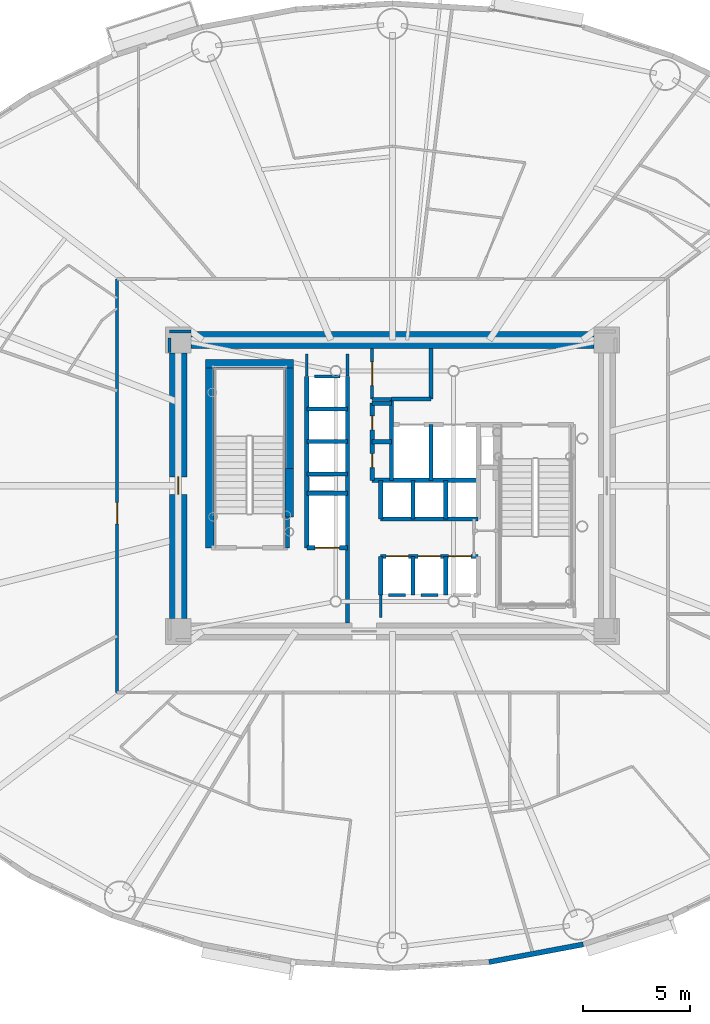
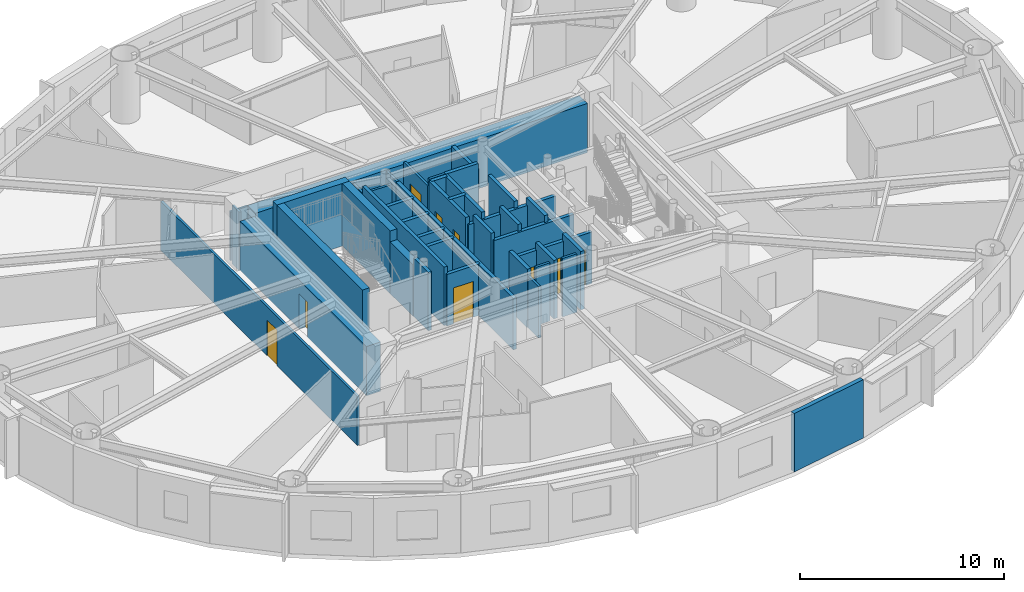
# One storey, part 8 of 18: 42 walls, 9 doors, 9 openings.
"""IFC4 building model written with IfcOpenShell, lengths in metres."""

from ifc_helpers import new_model, si_unit, direction, frame, frame_2d, origin, origin_2d, place, context, subcontext, project, spatial, rectangle, extrude, source, transform, mapped, material, layer, layer_set, type_object, element, fill, save


model = new_model("IFC4")

# Units and contexts
model_context = context("Model", 3, precision=1e-05, world=origin(), true_north=direction((0.0, 1.0)))
body_context = subcontext(model_context, "Body", "Model", "MODEL_VIEW")
ifc_project = project(units=[si_unit("LENGTHUNIT", "METRE"), si_unit("AREAUNIT", "SQUARE_METRE"), si_unit("VOLUMEUNIT", "CUBIC_METRE"), si_unit("PLANEANGLEUNIT", "RADIAN"), si_unit("MASSUNIT", "GRAM", prefix="KILO")], contexts=[model_context])

# Site, building, storey
site_placement = place(None, origin())
site = spatial("IfcSite", under=ifc_project, at=site_placement, CompositionType="ELEMENT")
building_placement = place(site_placement, origin())
building = spatial("IfcBuilding", under=site, at=building_placement, Name="Linh Dai School and Residence Tower", CompositionType="ELEMENT")
storey_placement = place(building_placement, frame((0.0, 0.0, 104.699951171875)))
storey = spatial("IfcBuildingStorey", under=building, at=storey_placement, Name="L24", CompositionType="ELEMENT", Elevation=104.699951171875)

# Wall
ifc_material_1 = material(Name="Precast Concrete B45 (C35/45)", Category="concrete")
ifc_layer_1 = layer(ifc_material_1, 0.239990234375)
ifc_layer_set_1 = layer_set([ifc_layer_1], Name="Precast Concrete B45 (C35/45)")
wall_type_1 = type_object("IfcWallType", Name="EW-TC-240", PredefinedType="SOLIDWALL", material=ifc_layer_set_1)
wall_1_placement = place(storey_placement, frame((44.899658203125, 5.5986328125, 0.0), z_axis=(0.0, 0.0, 1.0), x_axis=(-0.982789252177, -0.184730305596, 0.0)))
element("IfcWall", 1, at=wall_1_placement, inside=storey, type_object=wall_type_1, Name="L24 Terracotta Exterior Wall 32", PredefinedType="SOLIDWALL", context=body_context, shape_type="SweptSolid", body=[
    extrude(rectangle(XDim=4.470947265625, YDim=0.239990234375, at=frame_2d((2.2353515625, 0.0))), origin(), (0.0, 0.0, 1.0), 3.5),
])

# Wall, opening, door
ifc_material_2 = material(Name="Autoclaved Aerated Concrete Blockwork", Category="masonry")
ifc_layer_2 = layer(ifc_material_2, 0.135009765625)
ifc_layer_set_2 = layer_set([ifc_layer_2], Name="Autoclaved Aerated Concrete Blockwork")
wall_type_2 = type_object("IfcWallType", Name="IW-CORR-135-EI90", PredefinedType="PARTITIONING", material=ifc_layer_set_2)
wall_2_placement = place(storey_placement, frame((23.14990234375, 17.35009765625, 0.0), z_axis=(0.0, 0.0, 1.0), x_axis=(0.0, 1.0, 0.0)))
wall_2 = element("IfcWall", 2, at=wall_2_placement, inside=storey, type_object=wall_type_2, Name="L24 Interior Partition Wall 016", PredefinedType="PARTITIONING", context=body_context, shape_type="SweptSolid", body=[
    extrude(rectangle(XDim=19.2998046875, YDim=0.135009765625, at=frame_2d((9.64990234375, 0.0))), origin(), (0.0, 0.0, 1.0), 2.93505859375),
])
opening_1_placement = place(wall_2_placement, frame((7.8603515625, 0.0, 0.0)))
opening_1 = element("IfcOpeningElement", 3, at=opening_1_placement, cuts=wall_2, Name="Opening D03", PredefinedType="OPENING", context=body_context, shape_type="SweptSolid", body=[
    extrude(rectangle(XDim=1.0, YDim=2.14990234375, at=origin_2d()), frame((0.5, 0.07763671875, 1.074951171875), z_axis=(0.0, -1.0, 0.0), x_axis=(1.0, 0.0, 0.0)), (0.0, 0.0, 1.0), 0.155029296875),
])
ifc_material_3 = material(Name="Fire-Rated Solid Timber Entrance Door", Category="wood")
door_type_1 = type_object("IfcDoorType", Name="DR-FLAT-1000x2150-FD60S", OperationType="NOTDEFINED", PredefinedType="DOOR", material=ifc_material_3)
shared_shape_1 = source(origin(), body_context, "Body", "SweptSolid", [
    extrude(rectangle(XDim=1.0, YDim=2.14990234375, at=origin_2d()), frame((0.5, 0.02490234375, 1.074951171875), z_axis=(0.0, -1.0, 0.0), x_axis=(1.0, 0.0, 0.0)), (0.0, 0.0, 1.0), 0.050048828125),
])
door_1_placement = place(opening_1_placement, origin())
door_1 = element("IfcDoor", 4, at=door_1_placement, inside=storey, type_object=door_type_1, Name="L24 U2405 Apartment Entrance Door", OperationType="SINGLE_SWING_RIGHT", OverallHeight=2.14990234375, OverallWidth=1.0, PredefinedType="DOOR", context=body_context, shape_type="MappedRepresentation", body=[
    mapped(shared_shape_1, transform((0.0, 0.0, 0.0), x_axis=(1.0, 0.0, 0.0), y_axis=(0.0, 1.0, 0.0), z_axis=(0.0, 0.0, 1.0), scale=1.0)),
])
fill(opening_1, door_1)

wall_3_placement = place(storey_placement, frame((35.050048828125, 31.050048828125, 0.0), z_axis=(0.0, 0.0, 1.0), x_axis=(0.0, 1.0, 0.0)))
wall_3 = element("IfcWall", 5, at=wall_3_placement, inside=storey, type_object=wall_type_2, Name="L24 Interior Partition Wall 046", PredefinedType="PARTITIONING", context=body_context, shape_type="SweptSolid", body=[
    extrude(rectangle(XDim=2.349853515625, YDim=0.135009765625, at=frame_2d((1.1748046875, 0.0))), origin(), (0.0, 0.0, 1.0), 3.0849609375),
])
opening_2_placement = place(wall_3_placement, frame((0.625, 0.0, 0.0)))
opening_2 = element("IfcOpeningElement", 6, at=opening_2_placement, cuts=wall_3, Name="Opening D07", PredefinedType="OPENING", context=body_context, shape_type="SweptSolid", body=[
    extrude(rectangle(XDim=1.10009765625, YDim=2.14990234375, at=origin_2d()), frame((0.550048828125, 0.07763671875, 1.074951171875), z_axis=(0.0, -1.0, 0.0), x_axis=(1.0, 0.0, 0.0)), (0.0, 0.0, 1.0), 0.155029296875),
])
ifc_material_4 = material(Name="Fire-Rated Louvred Steel Plant Door", Category="steel")
door_type_2 = type_object("IfcDoorType", Name="DR-PLT-1100x2150-FD60S", OperationType="NOTDEFINED", PredefinedType="DOOR", material=ifc_material_4)
shared_shape_2 = source(origin(), body_context, "Body", "SweptSolid", [
    extrude(rectangle(XDim=1.10009765625, YDim=2.14990234375, at=origin_2d()), frame((0.550048828125, 0.02490234375, 1.074951171875), z_axis=(0.0, -1.0, 0.0), x_axis=(1.0, 0.0, 0.0)), (0.0, 0.0, 1.0), 0.050048828125),
])
door_2_placement = place(opening_2_placement, origin())
door_2 = element("IfcDoor", 7, at=door_2_placement, inside=storey, type_object=door_type_2, Name="L24 North Telecom Switchroom Door", OperationType="SINGLE_SWING_LEFT", OverallHeight=2.14990234375, OverallWidth=1.10009765625, PredefinedType="DOOR", context=body_context, shape_type="MappedRepresentation", body=[
    mapped(shared_shape_2, transform((0.0, 0.0, 0.0), x_axis=(1.0, 0.0, 0.0), y_axis=(0.0, 1.0, 0.0), z_axis=(0.0, 0.0, 1.0), scale=1.0)),
])
fill(opening_2, door_2)

# Walls
wall_4_placement = place(storey_placement, frame((35.050048828125, 31.050048828125, 0.0), z_axis=(0.0, 0.0, 1.0), x_axis=(1.0, 0.0, 0.0)))
element("IfcWall", 8, at=wall_4_placement, inside=storey, type_object=wall_type_2, Name="L24 Interior Partition Wall 047", PredefinedType="PARTITIONING", context=body_context, shape_type="SweptSolid", body=[
    extrude(rectangle(XDim=0.89990234375, YDim=0.135009765625, at=frame_2d((0.449951171875, 0.0))), origin(), (0.0, 0.0, 1.0), 3.5),
])
wall_5_placement = place(storey_placement, frame((36.60009765625, 21.89990234375, 0.0), z_axis=(0.0, 0.0, 1.0), x_axis=(-1.0, 0.0, 0.0)))
element("IfcWall", 9, at=wall_5_placement, inside=storey, type_object=wall_type_2, Name="L24 Interior Partition Wall 099", PredefinedType="PARTITIONING", context=body_context, shape_type="SweptSolid", body=[
    extrude(rectangle(XDim=0.7900390625, YDim=0.135009765625, at=frame_2d((0.39501953125, 0.0))), origin(), (0.0, 0.0, 1.0), 3.5),
])
wall_6_placement = place(storey_placement, frame((38.1201171875, 21.89990234375, 0.0), z_axis=(0.0, 0.0, 1.0), x_axis=(-1.0, 0.0, 0.0)))
element("IfcWall", 10, at=wall_6_placement, inside=storey, type_object=wall_type_2, Name="L24 Interior Partition Wall 100", PredefinedType="PARTITIONING", context=body_context, shape_type="SweptSolid", body=[
    extrude(rectangle(XDim=0.800048828125, YDim=0.135009765625, at=frame_2d((0.39990234375, 0.0))), origin(), (0.0, 0.0, 1.0), 3.5),
])
wall_7_placement = place(storey_placement, frame((32.360107421875, 32.10009765625, 0.0), z_axis=(0.0, 0.0, 1.0), x_axis=(1.0, 0.0, 0.0)))
element("IfcWall", 11, at=wall_7_placement, inside=storey, type_object=wall_type_2, Name="L24 Interior Partition Wall 102", PredefinedType="PARTITIONING", context=body_context, shape_type="SweptSolid", body=[
    extrude(rectangle(XDim=1.179931640625, YDim=0.135009765625, at=frame_2d((0.58984375, 0.0))), origin(), (0.0, 0.0, 1.0), 3.0849609375),
])
wall_8_placement = place(storey_placement, frame((32.0, 33.139892578125, 0.0), z_axis=(0.0, 0.0, 1.0), x_axis=(0.0, -1.0, 0.0)))
element("IfcWall", 12, at=wall_8_placement, inside=storey, type_object=wall_type_2, Name="L24 Interior Partition Wall 104", PredefinedType="PARTITIONING", context=body_context, shape_type="SweptSolid", body=[
    extrude(rectangle(XDim=1.02978515625, YDim=0.135009765625, at=frame_2d((0.514892578125, 0.0))), origin(), (0.0, 0.0, 1.0), 3.03515625),
])
for number, where, z_axis, x_axis, name in (
    (13, (35.449951171875, 21.889892578125, 0.0), (0.0, 0.0, 1.0), (0.0, -1.0, 0.0), "L24 Interior Partition Wall 106"),
    (14, (33.89990234375, 32.110107421875, 0.0), (0.0, 0.0, 1.0), (0.0, 1.0, 0.0), "L24 Interior Partition Wall 107"),
):
    element("IfcWall", number, at=place(storey_placement, frame(where, z_axis=z_axis, x_axis=x_axis)), inside=storey, type_object=wall_type_2, Name=name, PredefinedType="PARTITIONING", context=body_context, shape_type="SweptSolid", body=[
        extrude(rectangle(XDim=1.02978515625, YDim=0.135009765625, at=frame_2d((0.514892578125, 0.0))), origin(), (0.0, 0.0, 1.0), 3.0849609375),
    ])
wall_9_placement = place(storey_placement, frame((26.590087890625, 34.199951171875, 0.0), z_axis=(0.0, 0.0, 1.0), x_axis=(-1.0, 0.0, 0.0)))
element("IfcWall", 15, at=wall_9_placement, inside=storey, type_object=wall_type_2, Name="L24 Interior Partition Wall 111", PredefinedType="PARTITIONING", context=body_context, shape_type="SweptSolid", body=[
    extrude(rectangle(XDim=0.989990234375, YDim=0.135009765625, at=frame_2d((0.4951171875, 0.0))), origin(), (0.0, 0.0, 1.0), 2.93505859375),
])
wall_10_placement = place(storey_placement, frame((25.60009765625, 33.892578125, 0.0), z_axis=(0.0, 0.0, 1.0), x_axis=(0.0, -1.0, 0.0)))
element("IfcWall", 16, at=wall_10_placement, inside=storey, type_object=wall_type_2, Name="L24 Interior Partition Wall 112", PredefinedType="PARTITIONING", context=body_context, shape_type="SweptSolid", body=[
    extrude(rectangle(XDim=0.6826171875, YDim=0.135009765625, at=frame_2d((0.34130859375, 0.0))), origin(), (0.0, 0.0, 1.0), 3.5),
])
ifc_material_5 = material(Name="Concrete B45 (C35/45)", Category="concrete")
ifc_layer_3 = layer(ifc_material_5, 0.199951171875)
ifc_layer_set_3 = layer_set([ifc_layer_3], Name="Concrete B45 (C35/45)")
wall_type_3 = type_object("IfcWallType", Name="IW-SHAFT-200-EI120", PredefinedType="PARTITIONING", material=ifc_layer_set_3)
wall_11_placement = place(storey_placement, frame((31.10009765625, 24.10009765625, 0.0), z_axis=(0.0, 0.0, 1.0), x_axis=(0.0, 1.0, 0.0)))
element("IfcWall", 17, at=wall_11_placement, inside=storey, type_object=wall_type_3, Name="L24 Interior Partition Wall 031", PredefinedType="PARTITIONING", context=body_context, shape_type="SweptSolid", body=[
    extrude(rectangle(XDim=1.43994140625, YDim=0.199951171875, at=frame_2d((0.719970703125, 0.0))), origin(), (0.0, 0.0, 1.0), 3.5),
])
wall_12_placement = place(storey_placement, frame((32.0, 24.10009765625, 0.0), z_axis=(0.0, 0.0, 1.0), x_axis=(0.0, 1.0, 0.0)))
element("IfcWall", 18, at=wall_12_placement, inside=storey, type_object=wall_type_3, Name="L24 Interior Partition Wall 033", PredefinedType="PARTITIONING", context=body_context, shape_type="SweptSolid", body=[
    extrude(rectangle(XDim=8.0, YDim=0.199951171875, at=frame_2d((4.0, 0.0))), origin(), (0.0, 0.0, 1.0), 3.5),
])

# Wall, opening, door
wall_13_placement = place(storey_placement, frame((32.0, 24.10009765625, 0.0), z_axis=(0.0, 0.0, 1.0), x_axis=(1.0, 0.0, 0.0)))
wall_13 = element("IfcWall", 19, at=wall_13_placement, inside=storey, type_object=wall_type_3, Name="L24 Interior Partition Wall 034", PredefinedType="PARTITIONING", context=body_context, shape_type="SweptSolid", body=[
    extrude(rectangle(XDim=1.89990234375, YDim=0.199951171875, at=frame_2d((0.949951171875, 0.0))), origin(), (0.0, 0.0, 1.0), 3.0849609375),
])
opening_3_placement = place(wall_13_placement, frame((0.375, 0.0, 0.0)))
opening_3 = element("IfcOpeningElement", 20, at=opening_3_placement, cuts=wall_13, Name="Opening LD-FF2", PredefinedType="OPENING", context=body_context, shape_type="SweptSolid", body=[
    extrude(rectangle(XDim=1.14990234375, YDim=2.14990234375, at=origin_2d()), frame((0.574951171875, 0.10986328125, 1.074951171875), z_axis=(0.0, -1.0, 0.0), x_axis=(1.0, 0.0, 0.0)), (0.0, 0.0, 1.0), 0.219970703125),
])
ifc_material_6 = material(Name="Fire-Rated Stainless Steel Firefighting Lift Door", Category="steel")
door_type_3 = type_object("IfcDoorType", Name="DR-LD-FF-1150x2150-FD120", OperationType="DOUBLE_DOOR_SLIDING", PredefinedType="USERDEFINED", material=ifc_material_6)
shared_shape_3 = source(origin(), body_context, "Body", "SweptSolid", [
    extrude(rectangle(XDim=1.14990234375, YDim=2.14990234375, at=origin_2d()), frame((0.574951171875, 0.02490234375, 1.074951171875), z_axis=(0.0, -1.0, 0.0), x_axis=(1.0, 0.0, 0.0)), (0.0, 0.0, 1.0), 0.050048828125),
])
door_3_placement = place(opening_3_placement, origin())
door_3 = element("IfcDoor", 21, at=door_3_placement, inside=storey, type_object=door_type_3, Name="L24 Lift FF2 Sliding Landing Door", ObjectType="LANDING DOOR", OperationType="DOUBLE_DOOR_SLIDING", OverallHeight=2.14990234375, OverallWidth=1.14990234375, PredefinedType="USERDEFINED", context=body_context, shape_type="MappedRepresentation", body=[
    mapped(shared_shape_3, transform((0.0, 0.0, 0.0), x_axis=(1.0, 0.0, 0.0), y_axis=(0.0, 1.0, 0.0), z_axis=(0.0, 0.0, 1.0), scale=1.0)),
])
fill(opening_3, door_3)

# Walls
for number, where, z_axis, x_axis, name in (
    (22, (32.0, 26.64990234375, 0.0), (0.0, 0.0, 1.0), (1.0, 0.0, 0.0), "L24 Interior Partition Wall 035"),
    (23, (32.0, 27.550048828125, 0.0), (0.0, 0.0, 1.0), (1.0, 0.0, 0.0), "L24 Interior Partition Wall 036"),
    (24, (32.0, 29.06005859375, 0.0), (0.0, 0.0, 1.0), (1.0, 0.0, 0.0), "L24 Interior Partition Wall 037"),
    (25, (32.0, 30.580078125, 0.0), (0.0, 0.0, 1.0), (1.0, 0.0, 0.0), "L24 Interior Partition Wall 038"),
):
    element("IfcWall", number, at=place(storey_placement, frame(where, z_axis=z_axis, x_axis=x_axis)), inside=storey, type_object=wall_type_3, Name=name, PredefinedType="PARTITIONING", context=body_context, shape_type="SweptSolid", body=[
        extrude(rectangle(XDim=1.89990234375, YDim=0.199951171875, at=frame_2d((0.949951171875, 0.0))), origin(), (0.0, 0.0, 1.0), 3.0849609375),
    ])
wall_14_placement = place(storey_placement, frame((33.89990234375, 20.60009765625, 0.0), z_axis=(0.0, 0.0, 1.0), x_axis=(0.0, 1.0, 0.0)))
element("IfcWall", 26, at=wall_14_placement, inside=storey, type_object=wall_type_3, Name="L24 Interior Partition Wall 040", PredefinedType="PARTITIONING", context=body_context, shape_type="SweptSolid", body=[
    extrude(rectangle(XDim=11.5, YDim=0.199951171875, at=frame_2d((5.75, 0.0))), origin(), (0.0, 0.0, 1.0), 3.0849609375),
])

# Wall, openings, doors
wall_15_placement = place(storey_placement, frame((35.050048828125, 27.25, 0.0), z_axis=(0.0, 0.0, 1.0), x_axis=(0.0, 1.0, 0.0)))
wall_15 = element("IfcWall", 27, at=wall_15_placement, inside=storey, type_object=wall_type_3, Name="L24 Interior Partition Wall 042", PredefinedType="PARTITIONING", context=body_context, shape_type="SweptSolid", body=[
    extrude(rectangle(XDim=3.60009765625, YDim=0.199951171875, at=frame_2d((1.800048828125, 0.0))), origin(), (0.0, 0.0, 1.0), 3.5),
])
opening_4_placement = place(wall_15_placement, frame((0.590087890625, 0.0, 0.0)))
opening_4 = element("IfcOpeningElement", 28, at=opening_4_placement, cuts=wall_15, Name="Opening AD1", PredefinedType="OPENING", context=body_context, shape_type="SweptSolid", body=[
    extrude(rectangle(XDim=0.659912109375, YDim=2.050048828125, at=origin_2d()), frame((0.330078125, 0.10986328125, 1.02490234375), z_axis=(0.0, -1.0, 0.0), x_axis=(1.0, 0.0, 0.0)), (0.0, 0.0, 1.0), 0.219970703125),
])
opening_5_placement = place(wall_15_placement, frame((2.35009765625, 0.0, 0.0)))
opening_5 = element("IfcOpeningElement", 29, at=opening_5_placement, cuts=wall_15, Name="Opening AD1", PredefinedType="OPENING", context=body_context, shape_type="SweptSolid", body=[
    extrude(rectangle(XDim=0.659912109375, YDim=2.050048828125, at=origin_2d()), frame((0.330078125, 0.10986328125, 1.02490234375), z_axis=(0.0, -1.0, 0.0), x_axis=(1.0, 0.0, 0.0)), (0.0, 0.0, 1.0), 0.219970703125),
])
ifc_material_7 = material(Name="Fire-Rated Steel Riser Access Door", Category="steel")
door_type_4 = type_object("IfcDoorType", Name="DR-ACC-660x2050-FD90S", OperationType="NOTDEFINED", PredefinedType="USERDEFINED", material=ifc_material_7)
shared_shape_4 = source(origin(), body_context, "Body", "SweptSolid", [
    extrude(rectangle(XDim=0.659912109375, YDim=2.050048828125, at=origin_2d()), frame((0.330078125, 0.02490234375, 1.02490234375), z_axis=(0.0, -1.0, 0.0), x_axis=(1.0, 0.0, 0.0)), (0.0, 0.0, 1.0), 0.050048828125),
])
door_4_placement = place(opening_4_placement, origin())
door_4 = element("IfcDoor", 30, at=door_4_placement, inside=storey, type_object=door_type_4, Name="L24 Telecom and Data Riser Access Door", ObjectType="ACCESS DOOR", OperationType="SINGLE_SWING_LEFT", OverallHeight=2.050048828125, OverallWidth=0.659912109375, PredefinedType="USERDEFINED", context=body_context, shape_type="MappedRepresentation", body=[
    mapped(shared_shape_4, transform((0.0, 0.0, 0.0), x_axis=(1.0, 0.0, 0.0), y_axis=(0.0, 1.0, 0.0), z_axis=(0.0, 0.0, 1.0), scale=1.0)),
])
fill(opening_4, door_4)
door_5_placement = place(opening_5_placement, origin())
door_5 = element("IfcDoor", 31, at=door_5_placement, inside=storey, type_object=door_type_4, Name="L24 Mechanical and Plumbing Riser Access Door", ObjectType="ACCESS DOOR", OperationType="SINGLE_SWING_RIGHT", OverallHeight=2.050048828125, OverallWidth=0.659912109375, PredefinedType="USERDEFINED", context=body_context, shape_type="MappedRepresentation", body=[
    mapped(shared_shape_4, transform((0.0, 0.0, 0.0), x_axis=(1.0, 0.0, 0.0), y_axis=(0.0, 1.0, 0.0), z_axis=(0.0, 0.0, 1.0), scale=1.0)),
])
fill(opening_5, door_5)

# Walls
wall_16_placement = place(storey_placement, frame((35.050048828125, 27.25, 0.0), z_axis=(0.0, 0.0, 1.0), x_axis=(1.0, 0.0, 0.0)))
element("IfcWall", 32, at=wall_16_placement, inside=storey, type_object=wall_type_3, Name="L24 Interior Partition Wall 043", PredefinedType="PARTITIONING", context=body_context, shape_type="SweptSolid", body=[
    extrude(rectangle(XDim=4.949951171875, YDim=0.199951171875, at=frame_2d((2.47509765625, 0.0))), origin(), (0.0, 0.0, 1.0), 3.0849609375),
])
for number, where, z_axis, x_axis, name in (
    (33, (35.050048828125, 29.050048828125, 0.0), (0.0, 0.0, 1.0), (1.0, 0.0, 0.0), "L24 Interior Partition Wall 044"),
    (34, (35.050048828125, 30.85009765625, 0.0), (0.0, 0.0, 1.0), (1.0, 0.0, 0.0), "L24 Interior Partition Wall 045"),
):
    element("IfcWall", number, at=place(storey_placement, frame(where, z_axis=z_axis, x_axis=x_axis)), inside=storey, type_object=wall_type_3, Name=name, PredefinedType="PARTITIONING", context=body_context, shape_type="SweptSolid", body=[
        extrude(rectangle(XDim=0.89990234375, YDim=0.199951171875, at=frame_2d((0.449951171875, 0.0))), origin(), (0.0, 0.0, 1.0), 3.5),
    ])
wall_17_placement = place(storey_placement, frame((35.449951171875, 21.89990234375, 0.0), z_axis=(0.0, 0.0, 1.0), x_axis=(0.0, 1.0, 0.0)))
element("IfcWall", 35, at=wall_17_placement, inside=storey, type_object=wall_type_3, Name="L24 Interior Partition Wall 048", PredefinedType="PARTITIONING", context=body_context, shape_type="SweptSolid", body=[
    extrude(rectangle(XDim=1.800048828125, YDim=0.199951171875, at=frame_2d((0.89990234375, 0.0))), origin(), (0.0, 0.0, 1.0), 3.5),
])

# Wall, openings, doors
wall_18_placement = place(storey_placement, frame((35.449951171875, 23.699951171875, 0.0), z_axis=(0.0, 0.0, 1.0), x_axis=(1.0, 0.0, 0.0)))
wall_18 = element("IfcWall", 36, at=wall_18_placement, inside=storey, type_object=wall_type_3, Name="L24 Interior Partition Wall 049", PredefinedType="PARTITIONING", context=body_context, shape_type="SweptSolid", body=[
    extrude(rectangle(XDim=4.550048828125, YDim=0.199951171875, at=frame_2d((2.27490234375, 0.0))), origin(), (0.0, 0.0, 1.0), 3.0849609375),
])
opening_6_placement = place(wall_18_placement, frame((0.25, 0.0, 0.0)))
opening_6 = element("IfcOpeningElement", 37, at=opening_6_placement, cuts=wall_18, Name="Opening LD-PL1", PredefinedType="OPENING", context=body_context, shape_type="SweptSolid", body=[
    extrude(rectangle(XDim=1.050048828125, YDim=2.14990234375, at=origin_2d()), frame((0.52490234375, 0.10986328125, 1.074951171875), z_axis=(0.0, -1.0, 0.0), x_axis=(1.0, 0.0, 0.0)), (0.0, 0.0, 1.0), 0.219970703125),
])
opening_7_placement = place(wall_18_placement, frame((1.7451171875, 0.0, 0.0)))
opening_7 = element("IfcOpeningElement", 38, at=opening_7_placement, cuts=wall_18, Name="Opening LD-PL2", PredefinedType="OPENING", context=body_context, shape_type="SweptSolid", body=[
    extrude(rectangle(XDim=1.050048828125, YDim=2.14990234375, at=origin_2d()), frame((0.52490234375, 0.10986328125, 1.074951171875), z_axis=(0.0, -1.0, 0.0), x_axis=(1.0, 0.0, 0.0)), (0.0, 0.0, 1.0), 0.219970703125),
])
opening_8_placement = place(wall_18_placement, frame((3.1650390625, 0.0, 0.0)))
opening_8 = element("IfcOpeningElement", 39, at=opening_8_placement, cuts=wall_18, Name="Opening LD-PL3", PredefinedType="OPENING", context=body_context, shape_type="SweptSolid", body=[
    extrude(rectangle(XDim=1.050048828125, YDim=2.14990234375, at=origin_2d()), frame((0.52490234375, 0.10986328125, 1.074951171875), z_axis=(0.0, -1.0, 0.0), x_axis=(1.0, 0.0, 0.0)), (0.0, 0.0, 1.0), 0.219970703125),
])
ifc_material_8 = material(Name="Brushed Stainless Steel Lift Landing Door", Category="steel")
door_type_5 = type_object("IfcDoorType", Name="DR-LD-PASS-1050x2150", OperationType="DOUBLE_DOOR_SLIDING", PredefinedType="USERDEFINED", material=ifc_material_8)
shared_shape_5 = source(origin(), body_context, "Body", "SweptSolid", [
    extrude(rectangle(XDim=1.050048828125, YDim=2.14990234375, at=origin_2d()), frame((0.52490234375, 0.02490234375, 1.074951171875), z_axis=(0.0, -1.0, 0.0), x_axis=(1.0, 0.0, 0.0)), (0.0, 0.0, 1.0), 0.050048828125),
])
door_6_placement = place(opening_6_placement, origin())
door_6 = element("IfcDoor", 40, at=door_6_placement, inside=storey, type_object=door_type_5, Name="L24 Lift PL1 Sliding Landing Door", ObjectType="LANDING DOOR", OperationType="DOUBLE_DOOR_SLIDING", OverallHeight=2.14990234375, OverallWidth=1.050048828125, PredefinedType="USERDEFINED", context=body_context, shape_type="MappedRepresentation", body=[
    mapped(shared_shape_5, transform((0.0, 0.0, 0.0), x_axis=(1.0, 0.0, 0.0), y_axis=(0.0, 1.0, 0.0), z_axis=(0.0, 0.0, 1.0), scale=1.0)),
])
fill(opening_6, door_6)
door_7_placement = place(opening_7_placement, origin())
door_7 = element("IfcDoor", 41, at=door_7_placement, inside=storey, type_object=door_type_5, Name="L24 Lift PL2 Sliding Landing Door", ObjectType="LANDING DOOR", OperationType="DOUBLE_DOOR_SLIDING", OverallHeight=2.14990234375, OverallWidth=1.050048828125, PredefinedType="USERDEFINED", context=body_context, shape_type="MappedRepresentation", body=[
    mapped(shared_shape_5, transform((0.0, 0.0, 0.0), x_axis=(1.0, 0.0, 0.0), y_axis=(0.0, 1.0, 0.0), z_axis=(0.0, 0.0, 1.0), scale=1.0)),
])
fill(opening_7, door_7)
door_8_placement = place(opening_8_placement, origin())
door_8 = element("IfcDoor", 42, at=door_8_placement, inside=storey, type_object=door_type_5, Name="L24 Lift PL3 Sliding Landing Door", ObjectType="LANDING DOOR", OperationType="DOUBLE_DOOR_SLIDING", OverallHeight=2.14990234375, OverallWidth=1.050048828125, PredefinedType="USERDEFINED", context=body_context, shape_type="MappedRepresentation", body=[
    mapped(shared_shape_5, transform((0.0, 0.0, 0.0), x_axis=(1.0, 0.0, 0.0), y_axis=(0.0, 1.0, 0.0), z_axis=(0.0, 0.0, 1.0), scale=1.0)),
])
fill(opening_8, door_8)

# Walls
wall_19_placement = place(storey_placement, frame((35.449951171875, 25.449951171875, 0.0), z_axis=(0.0, 0.0, 1.0), x_axis=(0.0, 1.0, 0.0)))
element("IfcWall", 43, at=wall_19_placement, inside=storey, type_object=wall_type_3, Name="L24 Interior Partition Wall 050", PredefinedType="PARTITIONING", context=body_context, shape_type="SweptSolid", body=[
    extrude(rectangle(XDim=1.800048828125, YDim=0.199951171875, at=frame_2d((0.89990234375, 0.0))), origin(), (0.0, 0.0, 1.0), 3.5),
])
wall_20_placement = place(storey_placement, frame((35.449951171875, 25.449951171875, 0.0), z_axis=(0.0, 0.0, 1.0), x_axis=(1.0, 0.0, 0.0)))
element("IfcWall", 44, at=wall_20_placement, inside=storey, type_object=wall_type_3, Name="L24 Interior Partition Wall 051", PredefinedType="PARTITIONING", context=body_context, shape_type="SweptSolid", body=[
    extrude(rectangle(XDim=4.550048828125, YDim=0.199951171875, at=frame_2d((2.27490234375, 0.0))), origin(), (0.0, 0.0, 1.0), 3.0849609375),
])
wall_21_placement = place(storey_placement, frame((35.949951171875, 27.25, 0.0), z_axis=(0.0, 0.0, 1.0), x_axis=(0.0, 1.0, 0.0)))
element("IfcWall", 45, at=wall_21_placement, inside=storey, type_object=wall_type_3, Name="L24 Interior Partition Wall 052", PredefinedType="PARTITIONING", context=body_context, shape_type="SweptSolid", body=[
    extrude(rectangle(XDim=3.800048828125, YDim=0.199951171875, at=frame_2d((1.89990234375, 0.0))), origin(), (0.0, 0.0, 1.0), 3.5),
])
wall_22_placement = place(storey_placement, frame((35.9599609375, 31.050048828125, 0.0), z_axis=(0.0, 0.0, 1.0), x_axis=(1.0, 0.0, 0.0)))
element("IfcWall", 46, at=wall_22_placement, inside=storey, type_object=wall_type_3, Name="L24 Interior Partition Wall 054", PredefinedType="PARTITIONING", context=body_context, shape_type="SweptSolid", body=[
    extrude(rectangle(XDim=1.840087890625, YDim=0.199951171875, at=frame_2d((0.919921875, 0.0))), origin(), (0.0, 0.0, 1.0), 3.5),
])
for number, where, z_axis, x_axis, name in (
    (47, (36.9599609375, 21.89990234375, 0.0), (0.0, 0.0, 1.0), (0.0, 1.0, 0.0), "L24 Interior Partition Wall 056"),
    (48, (36.9599609375, 25.449951171875, 0.0), (0.0, 0.0, 1.0), (0.0, 1.0, 0.0), "L24 Interior Partition Wall 057"),
):
    element("IfcWall", number, at=place(storey_placement, frame(where, z_axis=z_axis, x_axis=x_axis)), inside=storey, type_object=wall_type_3, Name=name, PredefinedType="PARTITIONING", context=body_context, shape_type="SweptSolid", body=[
        extrude(rectangle(XDim=1.800048828125, YDim=0.199951171875, at=frame_2d((0.89990234375, 0.0))), origin(), (0.0, 0.0, 1.0), 3.5),
    ])
wall_23_placement = place(storey_placement, frame((37.800048828125, 27.25, 0.0), z_axis=(0.0, 0.0, 1.0), x_axis=(0.0, 1.0, 0.0)))
element("IfcWall", 49, at=wall_23_placement, inside=storey, type_object=wall_type_3, Name="L24 Interior Partition Wall 061", PredefinedType="PARTITIONING", context=body_context, shape_type="SweptSolid", body=[
    extrude(rectangle(XDim=2.60009765625, YDim=0.199951171875, at=frame_2d((1.300048828125, 0.0))), origin(), (0.0, 0.0, 1.0), 3.5),
])
wall_24_placement = place(storey_placement, frame((37.800048828125, 31.050048828125, 0.0), z_axis=(0.0, 0.0, 1.0), x_axis=(0.0, 1.0, 0.0)))
element("IfcWall", 50, at=wall_24_placement, inside=storey, type_object=wall_type_3, Name="L24 Interior Partition Wall 062", PredefinedType="PARTITIONING", context=body_context, shape_type="SweptSolid", body=[
    extrude(rectangle(XDim=2.349853515625, YDim=0.199951171875, at=frame_2d((1.1748046875, 0.0))), origin(), (0.0, 0.0, 1.0), 3.0849609375),
])
for number, where, z_axis, x_axis, name in (
    (51, (38.47998046875, 21.89990234375, 0.0), (0.0, 0.0, 1.0), (0.0, 1.0, 0.0), "L24 Interior Partition Wall 063"),
    (52, (38.47998046875, 25.449951171875, 0.0), (0.0, 0.0, 1.0), (0.0, 1.0, 0.0), "L24 Interior Partition Wall 064"),
):
    element("IfcWall", number, at=place(storey_placement, frame(where, z_axis=z_axis, x_axis=x_axis)), inside=storey, type_object=wall_type_3, Name=name, PredefinedType="PARTITIONING", context=body_context, shape_type="SweptSolid", body=[
        extrude(rectangle(XDim=1.800048828125, YDim=0.199951171875, at=frame_2d((0.89990234375, 0.0))), origin(), (0.0, 0.0, 1.0), 3.5),
    ])
ifc_layer_4 = layer(ifc_material_5, 0.39990234375)
ifc_layer_set_4 = layer_set([ifc_layer_4], Name="Concrete B45 (C35/45)")
wall_type_4 = type_object("IfcWallType", Name="WL-CORE400", PredefinedType="SHEAR", material=ifc_layer_set_4)
wall_25_placement = place(storey_placement, frame((27.47998046875, 24.10009765625, 0.0), z_axis=(0.0, 0.0, 1.0), x_axis=(0.0, 1.0, 0.0)))
element("IfcWall", 53, at=wall_25_placement, inside=storey, type_object=wall_type_4, Name="L24 Core Stair ST1 Bearing Wall W", PredefinedType="SHEAR", context=body_context, shape_type="SweptSolid", body=[
    extrude(rectangle(XDim=8.599853515625, YDim=0.39990234375, at=frame_2d((4.2998046875, 0.0))), origin(), (0.0, 0.0, 1.0), 3.75),
])
wall_26_placement = place(storey_placement, frame((31.179931640625, 27.800048828125, 0.0), z_axis=(0.0, 0.0, 1.0), x_axis=(0.0, 1.0, 0.0)))
element("IfcWall", 54, at=wall_26_placement, inside=storey, type_object=wall_type_4, Name="L24 Core Stair ST1 Bearing Wall E", PredefinedType="SHEAR", context=body_context, shape_type="SweptSolid", body=[
    extrude(rectangle(XDim=4.89990234375, YDim=0.39990234375, at=frame_2d((2.449951171875, 0.0))), origin(), (0.0, 0.0, 1.0), 3.75),
])
wall_27_placement = place(storey_placement, frame((27.280029296875, 32.699951171875, 0.0), z_axis=(0.0, 0.0, 1.0), x_axis=(1.0, 0.0, 0.0)))
element("IfcWall", 55, at=wall_27_placement, inside=storey, type_object=wall_type_4, Name="L24 Core Stair ST1 Bearing Wall N", PredefinedType="SHEAR", context=body_context, shape_type="SweptSolid", body=[
    extrude(rectangle(XDim=4.099853515625, YDim=0.39990234375, at=frame_2d((2.0498046875, 0.0))), origin(), (0.0, 0.0, 1.0), 3.75),
])
wall_28_placement = place(storey_placement, frame((31.179931640625, 25.550048828125, 0.0), z_axis=(0.0, 0.0, 1.0), x_axis=(0.0, 1.0, 0.0)))
element("IfcWall", 56, at=wall_28_placement, inside=storey, type_object=wall_type_4, Name="L24 Internal Core Shear Wall IW", PredefinedType="SHEAR", context=body_context, shape_type="SweptSolid", body=[
    extrude(rectangle(XDim=2.25, YDim=0.39990234375, at=frame_2d((1.125, 0.0))), origin(), (0.0, 0.0, 1.0), 3.10009765625),
])
ifc_material_9 = material(Name="Concrete B60 (C50/60)", Category="concrete")
ifc_layer_5 = layer(ifc_material_9, 0.800048828125)
ifc_layer_set_5 = layer_set([ifc_layer_5], Name="Concrete B60 (C50/60)")
wall_type_5 = type_object("IfcWallType", Name="WL-CORE800", PredefinedType="SHEAR", material=ifc_layer_set_5)
wall_29_placement = place(storey_placement, frame((26.60009765625, 33.800048828125, 0.0), z_axis=(0.0, 0.0, 1.0), x_axis=(1.0, 0.0, 0.0)))
element("IfcWall", 57, at=wall_29_placement, inside=storey, type_object=wall_type_5, Name="L24 Central Core Shear Wall N", PredefinedType="SHEAR", context=body_context, shape_type="SweptSolid", body=[
    extrude(rectangle(XDim=18.7998046875, YDim=0.800048828125, at=frame_2d((9.39990234375, 0.0))), origin(), (0.0, 0.0, 1.0), 2.949951171875),
])

# Wall, opening, door
wall_30_placement = place(storey_placement, frame((26.0, 20.800048828125, 0.0), z_axis=(0.0, 0.0, 1.0), x_axis=(0.0, 1.0, 0.0)))
wall_30 = element("IfcWall", 58, at=wall_30_placement, inside=storey, type_object=wall_type_5, Name="L24 Central Core Shear Wall W", PredefinedType="SHEAR", context=body_context, shape_type="SweptSolid", body=[
    extrude(rectangle(XDim=12.39990234375, YDim=0.800048828125, at=frame_2d((6.199951171875, 0.0))), origin(), (0.0, 0.0, 1.0), 2.949951171875),
])
opening_9_placement = place(wall_30_placement, frame((5.7900390625, 0.0, 0.0)))
opening_9 = element("IfcOpeningElement", 59, at=opening_9_placement, cuts=wall_30, Name="Opening D06", PredefinedType="OPENING", context=body_context, shape_type="SweptSolid", body=[
    extrude(rectangle(XDim=0.820068359375, YDim=2.10009765625, at=origin_2d()), frame((0.41015625, 0.41015625, 1.050048828125), z_axis=(0.0, -1.0, 0.0), x_axis=(1.0, 0.0, 0.0)), (0.0, 0.0, 1.0), 0.820068359375),
])
ifc_material_10 = material(Name="Moisture-Resistant Timber Bathroom Door", Category="wood")
door_type_6 = type_object("IfcDoorType", Name="DR-WET-820x2100", OperationType="NOTDEFINED", PredefinedType="DOOR", material=ifc_material_10)
shared_shape_6 = source(origin(), body_context, "Body", "SweptSolid", [
    extrude(rectangle(XDim=0.820068359375, YDim=2.10009765625, at=origin_2d()), frame((0.41015625, 0.02490234375, 1.050048828125), z_axis=(0.0, -1.0, 0.0), x_axis=(1.0, 0.0, 0.0)), (0.0, 0.0, 1.0), 0.050048828125),
])
door_9_placement = place(opening_9_placement, origin())
door_9 = element("IfcDoor", 60, at=door_9_placement, inside=storey, type_object=door_type_6, Name="L24 Firefighting Lobby Door", OperationType="SINGLE_SWING_RIGHT", OverallHeight=2.10009765625, OverallWidth=0.820068359375, PredefinedType="DOOR", context=body_context, shape_type="MappedRepresentation", body=[
    mapped(shared_shape_6, transform((0.0, 0.0, 0.0), x_axis=(1.0, 0.0, 0.0), y_axis=(0.0, 1.0, 0.0), z_axis=(0.0, 0.0, 1.0), scale=1.0)),
])
fill(opening_9, door_9)

save(model, "model.ifc")
